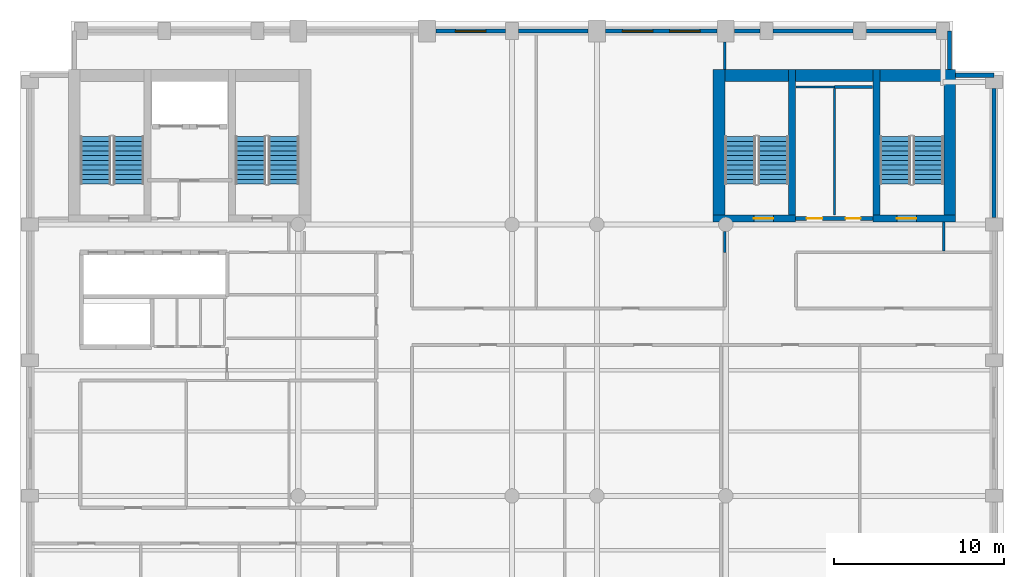
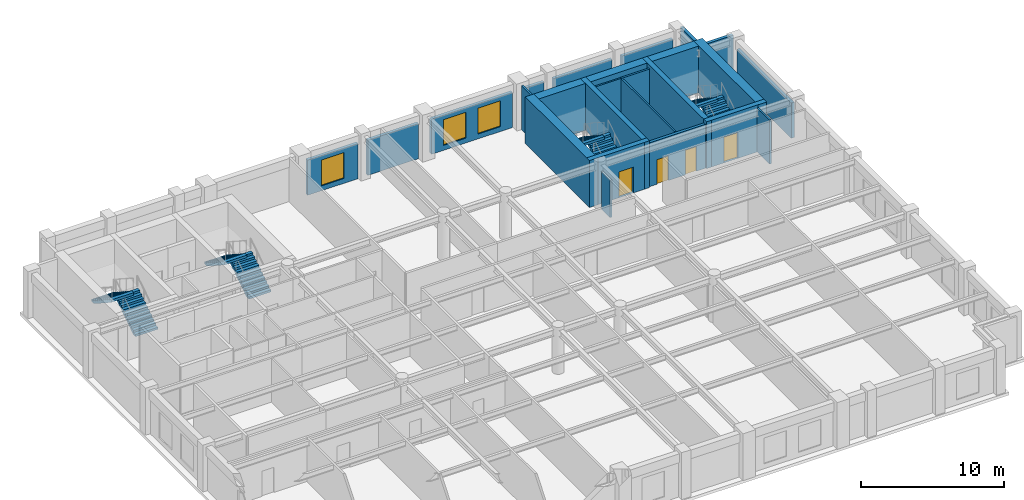
# One storey, part 6 of 8: 23 walls, 8 stair flights, 4 doors, 3 windows, 7 openings, 4 elements without a shape of their own.
"""IFC4 building model written with IfcOpenShell, lengths in metres."""

from ifc_helpers import new_model, si_unit, direction, frame, frame_2d, origin, place, context, subcontext, project, spatial, polyline, rectangle, outline, extrude, material, layer, layer_set, type_object, element, fill, aggregate, save


model = new_model("IFC4")

# Units and contexts
model_context = context("Model", 3, precision=1e-05, world=origin(), true_north=direction((0.0, 1.0)))
body_context = subcontext(model_context, "Body", "Model", "MODEL_VIEW")
ifc_project = project(units=[si_unit("LENGTHUNIT", "METRE"), si_unit("AREAUNIT", "SQUARE_METRE"), si_unit("VOLUMEUNIT", "CUBIC_METRE"), si_unit("PLANEANGLEUNIT", "RADIAN"), si_unit("MASSUNIT", "GRAM", prefix="KILO")], contexts=[model_context])

# Site, building, storey
site_placement = place(None, origin())
site = spatial("IfcSite", under=ifc_project, at=site_placement, CompositionType="ELEMENT")
building_placement = place(site_placement, origin())
building = spatial("IfcBuilding", under=site, at=building_placement, Name="Sulina Concourse Tower", CompositionType="ELEMENT")
storey_placement = place(building_placement, frame((0.0, 0.0, 248.60009765625)))
storey = spatial("IfcBuildingStorey", under=building, at=storey_placement, Name="L60", CompositionType="ELEMENT", Elevation=248.60009765625)

# Wall, opening, window
ifc_material_1 = material(Name="Precast concrete C50/60", Category="concrete")
ifc_layer_1 = layer(ifc_material_1, 0.239990234375)
ifc_layer_set_1 = layer_set([ifc_layer_1], Name="Precast concrete C50/60")
wall_type_1 = type_object("IfcWallType", Name="Crown Precast Masonry-Frame Facade Wall 240mm", PredefinedType="SOLIDWALL", material=ifc_layer_set_1)
wall_1_placement = place(storey_placement, frame((24.52001953125, 45.39990234375, 0.0), z_axis=(0.0, 0.0, 1.0), x_axis=(1.0, 0.0, 0.0)))
wall_1 = element("IfcWall", 1, at=wall_1_placement, inside=storey, type_object=wall_type_1, Name="L60 exterior precast wall N5", PredefinedType="SOLIDWALL", context=body_context, shape_type="SweptSolid", body=[
    extrude(rectangle(XDim=4.0849609375, YDim=0.239990234375, at=frame_2d((2.04248046875, 0.0))), origin(), (0.0, 0.0, 1.0), 3.0),
])
opening_1_placement = place(wall_1_placement, frame((1.142578125, 0.0, 0.419921875)))
opening_1 = element("IfcOpeningElement", 2, at=opening_1_placement, cuts=wall_1, Name="Opening WN-25", PredefinedType="OPENING", context=body_context, shape_type="SweptSolid", body=[
    extrude(rectangle(XDim=1.800048828125, YDim=2.199951171875, at=frame_2d((0.89990234375, 1.10009765625))), frame((0.0, 0.1298828125, 0.0), z_axis=(0.0, -1.0, 0.0), x_axis=(1.0, 0.0, 0.0)), (0.0, 0.0, 1.0), 0.260009765625),
])
ifc_material_2 = material(Name="Low-E solar double glazing in bronze aluminium", Category="aluminium")
window_type = type_object("IfcWindowType", Name="Punched Masonry-Frame Window 1800x2200", PartitioningType="SINGLE_PANEL", PredefinedType="WINDOW", material=ifc_material_2)
window_1_placement = place(opening_1_placement, origin())
window_1 = element("IfcWindow", 3, at=window_1_placement, inside=storey, type_object=window_type, Name="L60 punched window N5-1", OverallHeight=2.199951171875, OverallWidth=1.800048828125, PartitioningType="SINGLE_PANEL", PredefinedType="WINDOW", context=body_context, shape_type="SweptSolid", body=[
    extrude(rectangle(XDim=1.800048828125, YDim=2.199951171875, at=frame_2d((0.89990234375, 1.10009765625))), frame((0.0, 0.030029296875, 0.0), z_axis=(0.0, -1.0, 0.0), x_axis=(1.0, 0.0, 0.0)), (0.0, 0.0, 1.0), 0.06005859375),
])
fill(opening_1, window_1)

# Wall
wall_2_placement = place(storey_placement, frame((29.39501953125, 45.39990234375, 0.0), z_axis=(0.0, 0.0, 1.0), x_axis=(1.0, 0.0, 0.0)))
element("IfcWall", 4, at=wall_2_placement, inside=storey, type_object=wall_type_1, Name="L60 exterior precast wall N6", PredefinedType="SOLIDWALL", context=body_context, shape_type="SweptSolid", body=[
    extrude(rectangle(XDim=4.0849609375, YDim=0.239990234375, at=frame_2d((2.04248046875, 0.0))), origin(), (0.0, 0.0, 1.0), 3.0),
])

# Wall, openings, windows
wall_3_placement = place(storey_placement, frame((34.52001953125, 45.39990234375, 0.0), z_axis=(0.0, 0.0, 1.0), x_axis=(1.0, 0.0, 0.0)))
wall_3 = element("IfcWall", 5, at=wall_3_placement, inside=storey, type_object=wall_type_1, Name="L60 exterior precast wall N7", PredefinedType="SOLIDWALL", context=body_context, shape_type="SweptSolid", body=[
    extrude(rectangle(XDim=6.56005859375, YDim=0.239990234375, at=frame_2d((3.280029296875, 0.0))), origin(), (0.0, 0.0, 1.0), 3.0),
])
opening_2_placement = place(wall_3_placement, frame((0.98681640625, 0.0, 0.419921875)))
opening_2 = element("IfcOpeningElement", 6, at=opening_2_placement, cuts=wall_3, Name="Opening WN-25", PredefinedType="OPENING", context=body_context, shape_type="SweptSolid", body=[
    extrude(rectangle(XDim=1.800048828125, YDim=2.199951171875, at=frame_2d((0.89990234375, 1.10009765625))), frame((0.0, 0.1298828125, 0.0), z_axis=(0.0, -1.0, 0.0), x_axis=(1.0, 0.0, 0.0)), (0.0, 0.0, 1.0), 0.260009765625),
])
opening_3_placement = place(wall_3_placement, frame((3.773193359375, 0.0, 0.419921875)))
opening_3 = element("IfcOpeningElement", 7, at=opening_3_placement, cuts=wall_3, Name="Opening WN-25", PredefinedType="OPENING", context=body_context, shape_type="SweptSolid", body=[
    extrude(rectangle(XDim=1.800048828125, YDim=2.199951171875, at=frame_2d((0.89990234375, 1.10009765625))), frame((0.0, 0.1298828125, 0.0), z_axis=(0.0, -1.0, 0.0), x_axis=(1.0, 0.0, 0.0)), (0.0, 0.0, 1.0), 0.260009765625),
])
window_2_placement = place(opening_2_placement, origin())
window_2 = element("IfcWindow", 8, at=window_2_placement, inside=storey, type_object=window_type, Name="L60 punched window N7-1", OverallHeight=2.199951171875, OverallWidth=1.800048828125, PartitioningType="SINGLE_PANEL", PredefinedType="WINDOW", context=body_context, shape_type="SweptSolid", body=[
    extrude(rectangle(XDim=1.800048828125, YDim=2.199951171875, at=frame_2d((0.89990234375, 1.10009765625))), frame((0.0, 0.030029296875, 0.0), z_axis=(0.0, -1.0, 0.0), x_axis=(1.0, 0.0, 0.0)), (0.0, 0.0, 1.0), 0.06005859375),
])
fill(opening_2, window_2)
window_3_placement = place(opening_3_placement, origin())
window_3 = element("IfcWindow", 9, at=window_3_placement, inside=storey, type_object=window_type, Name="L60 punched window N7-2", OverallHeight=2.199951171875, OverallWidth=1.800048828125, PartitioningType="SINGLE_PANEL", PredefinedType="WINDOW", context=body_context, shape_type="SweptSolid", body=[
    extrude(rectangle(XDim=1.800048828125, YDim=2.199951171875, at=frame_2d((0.89990234375, 1.10009765625))), frame((0.0, 0.030029296875, 0.0), z_axis=(0.0, -1.0, 0.0), x_axis=(1.0, 0.0, 0.0)), (0.0, 0.0, 1.0), 0.06005859375),
])
fill(opening_3, window_3)

# Walls
wall_4_placement = place(storey_placement, frame((42.1201171875, 45.39990234375, 0.0), z_axis=(0.0, 0.0, 1.0), x_axis=(1.0, 0.0, 0.0)))
element("IfcWall", 10, at=wall_4_placement, inside=storey, type_object=wall_type_1, Name="L60 exterior precast wall N8", PredefinedType="SOLIDWALL", context=body_context, shape_type="SweptSolid", body=[
    extrude(rectangle(XDim=1.48486328125, YDim=0.239990234375, at=frame_2d((0.742431640625, 0.0))), origin(), (0.0, 0.0, 1.0), 3.0),
])
wall_5_placement = place(storey_placement, frame((44.39501953125, 45.39990234375, 0.0), z_axis=(0.0, 0.0, 1.0), x_axis=(1.0, 0.0, 0.0)))
element("IfcWall", 11, at=wall_5_placement, inside=storey, type_object=wall_type_1, Name="L60 exterior precast wall N9", PredefinedType="SOLIDWALL", context=body_context, shape_type="SweptSolid", body=[
    extrude(rectangle(XDim=4.7099609375, YDim=0.239990234375, at=frame_2d((2.35498046875, 0.0))), origin(), (0.0, 0.0, 1.0), 3.0),
])
wall_6_placement = place(storey_placement, frame((49.89501953125, 45.39990234375, 0.0), z_axis=(0.0, 0.0, 1.0), x_axis=(1.0, 0.0, 0.0)))
element("IfcWall", 12, at=wall_6_placement, inside=storey, type_object=wall_type_1, Name="L60 exterior precast wall N10", PredefinedType="SOLIDWALL", context=body_context, shape_type="SweptSolid", body=[
    extrude(rectangle(XDim=4.10986328125, YDim=0.239990234375, at=frame_2d((2.054931640625, 0.0))), origin(), (0.0, 0.0, 1.0), 3.0),
])
wall_7_placement = place(storey_placement, frame((57.39990234375, 42.0048828125, 0.0), z_axis=(0.0, 0.0, 1.0), x_axis=(0.0, -1.0, 0.0)))
element("IfcWall", 13, at=wall_7_placement, inside=storey, type_object=wall_type_1, Name="L60 exterior precast wall E5", PredefinedType="SOLIDWALL", context=body_context, shape_type="SweptSolid", body=[
    extrude(rectangle(XDim=7.60986328125, YDim=0.239990234375, at=frame_2d((3.804931640625, 0.0))), origin(), (0.0, 0.0, 1.0), 3.0),
])
wall_8_placement = place(storey_placement, frame((54.794921875, 45.39990234375, 0.0), z_axis=(0.0, 0.0, 1.0), x_axis=(0.0, -1.0, 0.0)))
element("IfcWall", 14, at=wall_8_placement, inside=storey, type_object=wall_type_1, Name="L60 exterior precast wall CNE1", PredefinedType="SOLIDWALL", context=body_context, shape_type="SweptSolid", body=[
    extrude(rectangle(XDim=2.264892578125, YDim=0.239990234375, at=frame_2d((1.13232421875, 0.0))), origin(), (0.0, 0.0, 1.0), 3.75),
])
wall_9_placement = place(storey_placement, frame((55.155029296875, 42.794921875, 0.0), z_axis=(0.0, 0.0, 1.0), x_axis=(1.0, 0.0, 0.0)))
element("IfcWall", 15, at=wall_9_placement, inside=storey, type_object=wall_type_1, Name="L60 exterior precast wall CNE2", PredefinedType="SOLIDWALL", context=body_context, shape_type="SweptSolid", body=[
    extrude(rectangle(XDim=2.244873046875, YDim=0.239990234375, at=frame_2d((1.12255859375, 0.0))), origin(), (0.0, 0.0, 1.0), 3.75),
])

# Wall, openings, doors
ifc_material_3 = material(Name="Gypsum board on steel stud", Category="steel")
ifc_layer_2 = layer(ifc_material_3, 0.219970703125)
ifc_layer_set_2 = layer_set([ifc_layer_2], Name="Gypsum board on steel stud")
wall_type_2 = type_object("IfcWallType", Name="Fire-Rated Lobby & Compartment Wall 220mm", PredefinedType="PARTITIONING", material=ifc_layer_set_2)
wall_10_placement = place(storey_placement, frame((45.719970703125, 34.35009765625, 0.0), z_axis=(0.0, 0.0, 1.0), x_axis=(1.0, 0.0, 0.0)))
wall_10 = element("IfcWall", 16, at=wall_10_placement, inside=storey, type_object=wall_type_2, Name="L60 east core south lobby wall", PredefinedType="PARTITIONING", context=body_context, shape_type="SweptSolid", body=[
    extrude(rectangle(XDim=4.56005859375, YDim=0.219970703125, at=frame_2d((2.280029296875, 0.0))), origin(), (0.0, 0.0, 1.0), 3.75),
])
opening_4_placement = place(wall_10_placement, frame((0.64990234375, 0.0, 0.0)))
opening_4 = element("IfcOpeningElement", 17, at=opening_4_placement, cuts=wall_10, Name="Opening DR-61", PredefinedType="OPENING", context=body_context, shape_type="SweptSolid", body=[
    extrude(rectangle(XDim=0.919921875, YDim=2.10009765625, at=frame_2d((0.4599609375, 1.050048828125))), frame((0.0, 0.119873046875, 0.0), z_axis=(0.0, -1.0, 0.0), x_axis=(1.0, 0.0, 0.0)), (0.0, 0.0, 1.0), 0.239990234375),
])
opening_5_placement = place(wall_10_placement, frame((2.949951171875, 0.0, 0.0)))
opening_5 = element("IfcOpeningElement", 18, at=opening_5_placement, cuts=wall_10, Name="Opening DR-38", PredefinedType="OPENING", context=body_context, shape_type="SweptSolid", body=[
    extrude(rectangle(XDim=0.8798828125, YDim=2.10009765625, at=frame_2d((0.43994140625, 1.050048828125))), frame((0.0, 0.119873046875, 0.0), z_axis=(0.0, -1.0, 0.0), x_axis=(1.0, 0.0, 0.0)), (0.0, 0.0, 1.0), 0.239990234375),
])
ifc_material_4 = material(Name="Oak-veneered fire door leaf")
ifc_layer_3 = layer(ifc_material_4, 0.050048828125)
ifc_layer_set_3 = layer_set([ifc_layer_3], Name="Oak-veneered fire door leaf")
door_type_1 = type_object("IfcDoorType", Name="Accessible WC Door 920x2100", OperationType="NOTDEFINED", PredefinedType="DOOR", material=ifc_layer_set_3)
door_1_placement = place(opening_4_placement, origin())
door_1 = element("IfcDoor", 19, at=door_1_placement, inside=storey, type_object=door_type_1, Name="L60 east core accessible wc door", OperationType="SINGLE_SWING_LEFT", OverallHeight=2.10009765625, OverallWidth=0.919921875, PredefinedType="DOOR", context=body_context, shape_type="SweptSolid", body=[
    extrude(rectangle(XDim=0.919921875, YDim=2.10009765625, at=frame_2d((0.4599609375, 1.050048828125))), frame((0.0, 0.02490234375, 0.0), z_axis=(0.0, -1.0, 0.0), x_axis=(1.0, 0.0, 0.0)), (0.0, 0.0, 1.0), 0.050048828125),
])
fill(opening_4, door_1)
ifc_material_5 = material(Name="Galvanised steel acoustic fire leaf", Category="steel")
ifc_layer_4 = layer(ifc_material_5, 0.050048828125)
ifc_layer_set_4 = layer_set([ifc_layer_4], Name="Galvanised steel acoustic fire leaf")
door_type_2 = type_object("IfcDoorType", Name="Service Riser Fire Door 880x2100", OperationType="NOTDEFINED", PredefinedType="DOOR", material=ifc_layer_set_4)
door_2_placement = place(opening_5_placement, origin())
door_2 = element("IfcDoor", 20, at=door_2_placement, inside=storey, type_object=door_type_2, Name="L60 east core store door", OperationType="SINGLE_SWING_RIGHT", OverallHeight=2.10009765625, OverallWidth=0.8798828125, PredefinedType="DOOR", context=body_context, shape_type="SweptSolid", body=[
    extrude(rectangle(XDim=0.8798828125, YDim=2.10009765625, at=frame_2d((0.43994140625, 1.050048828125))), frame((0.0, 0.02490234375, 0.0), z_axis=(0.0, -1.0, 0.0), x_axis=(1.0, 0.0, 0.0)), (0.0, 0.0, 1.0), 0.050048828125),
])
fill(opening_5, door_2)

# Walls
ifc_material_6 = material(Name="Gypsum board on steel stud", Category="steel")
ifc_layer_5 = layer(ifc_material_6, 0.14990234375)
ifc_layer_set_5 = layer_set([ifc_layer_5], Name="Gypsum board on steel stud")
wall_type_3 = type_object("IfcWallType", Name="Inter-Tenancy Acoustic Partition 150mm", PredefinedType="PARTITIONING", material=ifc_layer_set_5)
wall_11_placement = place(storey_placement, frame((48.0, 42.10009765625, 0.0), z_axis=(0.0, 0.0, 1.0), x_axis=(1.0, 0.0, 0.0)))
element("IfcWall", 21, at=wall_11_placement, inside=storey, type_object=wall_type_3, Name="L60 interior partition 033", PredefinedType="PARTITIONING", context=body_context, shape_type="SweptSolid", body=[
    extrude(rectangle(XDim=2.25, YDim=0.14990234375, at=frame_2d((1.125, 0.0))), origin(), (0.0, 0.0, 1.0), 3.75),
])
wall_12_placement = place(storey_placement, frame((41.550048828125, 32.35009765625, 0.0), z_axis=(0.0, 0.0, 1.0), x_axis=(0.0, 1.0, 0.0)))
element("IfcWall", 22, at=wall_12_placement, inside=storey, type_object=wall_type_3, Name="L60 interior partition 061", PredefinedType="PARTITIONING", context=body_context, shape_type="SweptSolid", body=[
    extrude(rectangle(XDim=1.224853515625, YDim=0.14990234375, at=frame_2d((0.6123046875, 0.0))), origin(), (0.0, 0.0, 1.0), 3.19482421875),
])
wall_13_placement = place(storey_placement, frame((41.550048828125, 43.1298828125, 0.0), z_axis=(0.0, 0.0, 1.0), x_axis=(0.0, 1.0, 0.0)))
element("IfcWall", 23, at=wall_13_placement, inside=storey, type_object=wall_type_3, Name="L60 interior partition 062", PredefinedType="PARTITIONING", context=body_context, shape_type="SweptSolid", body=[
    extrude(rectangle(XDim=1.6201171875, YDim=0.14990234375, at=frame_2d((0.81005859375, 0.0))), origin(), (0.0, 0.0, 1.0), 3.75),
])
wall_14_placement = place(storey_placement, frame((54.449951171875, 32.425048828125, 0.0), z_axis=(0.0, 0.0, 1.0), x_axis=(0.0, 1.0, 0.0)))
element("IfcWall", 24, at=wall_14_placement, inside=storey, type_object=wall_type_3, Name="L60 interior partition 066", PredefinedType="PARTITIONING", context=body_context, shape_type="SweptSolid", body=[
    extrude(rectangle(XDim=1.724853515625, YDim=0.14990234375, at=frame_2d((0.8623046875, 0.0))), origin(), (0.0, 0.0, 1.0), 3.75),
])

# Wall, opening, door
ifc_material_7 = material(Name="Concrete C60/75", Category="concrete")
ifc_layer_6 = layer(ifc_material_7, 0.39990234375)
ifc_layer_set_6 = layer_set([ifc_layer_6], Name="Concrete C60/75")
wall_type_4 = type_object("IfcWallType", Name="Protected Stair Core Shear Wall 400mm", PredefinedType="SHEAR", material=ifc_layer_set_6)
wall_15_placement = place(storey_placement, frame((40.85009765625, 34.35009765625, 0.0), z_axis=(0.0, 0.0, 1.0), x_axis=(1.0, 0.0, 0.0)))
wall_15 = element("IfcWall", 25, at=wall_15_placement, inside=storey, type_object=wall_type_4, Name="L60 east core shear wall CW-ES1", PredefinedType="SHEAR", context=body_context, shape_type="SweptSolid", body=[
    extrude(rectangle(XDim=4.85986328125, YDim=0.39990234375, at=frame_2d((2.429931640625, 0.0))), origin(), (0.0, 0.0, 1.0), 4.0),
])
opening_6_placement = place(wall_15_placement, frame((2.39990234375, 0.0, 0.0)))
opening_6 = element("IfcOpeningElement", 26, at=opening_6_placement, cuts=wall_15, Name="Opening DR-60", PredefinedType="OPENING", context=body_context, shape_type="SweptSolid", body=[
    extrude(rectangle(XDim=1.14990234375, YDim=2.199951171875, at=frame_2d((0.574951171875, 1.10009765625))), frame((0.0, 0.2099609375, 0.0), z_axis=(0.0, -1.0, 0.0), x_axis=(1.0, 0.0, 0.0)), (0.0, 0.0, 1.0), 0.419921875),
])
ifc_material_8 = material(Name="Galvanised steel acoustic fire leaf", Category="steel")
ifc_layer_7 = layer(ifc_material_8, 0.054931640625)
ifc_layer_set_7 = layer_set([ifc_layer_7], Name="Galvanised steel acoustic fire leaf")
door_type_3 = type_object("IfcDoorType", Name="Protected Exit Stair Fire Door 1150x2200", OperationType="NOTDEFINED", PredefinedType="DOOR", material=ifc_layer_set_7)
door_3_placement = place(opening_6_placement, origin())
door_3 = element("IfcDoor", 27, at=door_3_placement, inside=storey, type_object=door_type_3, Name="L60 stair ST-3 south lobby fire door", OperationType="SINGLE_SWING_RIGHT", OverallHeight=2.199951171875, OverallWidth=1.14990234375, PredefinedType="DOOR", context=body_context, shape_type="SweptSolid", body=[
    extrude(rectangle(XDim=1.14990234375, YDim=2.199951171875, at=frame_2d((0.574951171875, 1.10009765625))), frame((0.0, 0.02490234375, 0.0), z_axis=(0.0, -1.0, 0.0), x_axis=(1.0, 0.0, 0.0)), (0.0, 0.0, 1.0), 0.050048828125),
])
fill(opening_6, door_3)

# Wall
wall_16_placement = place(storey_placement, frame((45.510009765625, 34.14990234375, 0.0), z_axis=(0.0, 0.0, 1.0), x_axis=(0.0, 1.0, 0.0)))
element("IfcWall", 28, at=wall_16_placement, inside=storey, type_object=wall_type_4, Name="L60 east core shear wall SW-ST3", PredefinedType="SHEAR", context=body_context, shape_type="SweptSolid", body=[
    extrude(rectangle(XDim=8.97998046875, YDim=0.39990234375, at=frame_2d((4.489990234375, 0.0))), origin(), (0.0, 0.0, 1.0), 4.0),
])

# Wall, opening, door
wall_17_placement = place(storey_placement, frame((50.2900390625, 34.35009765625, 0.0), z_axis=(0.0, 0.0, 1.0), x_axis=(1.0, 0.0, 0.0)))
wall_17 = element("IfcWall", 29, at=wall_17_placement, inside=storey, type_object=wall_type_4, Name="L60 east core shear wall CW-ES2", PredefinedType="SHEAR", context=body_context, shape_type="SweptSolid", body=[
    extrude(rectangle(XDim=4.85986328125, YDim=0.39990234375, at=frame_2d((2.429931640625, 0.0))), origin(), (0.0, 0.0, 1.0), 4.0),
])
opening_7_placement = place(wall_17_placement, frame((1.39990234375, 0.0, 0.0)))
opening_7 = element("IfcOpeningElement", 30, at=opening_7_placement, cuts=wall_17, Name="Opening DR-60", PredefinedType="OPENING", context=body_context, shape_type="SweptSolid", body=[
    extrude(rectangle(XDim=1.14990234375, YDim=2.199951171875, at=frame_2d((0.574951171875, 1.10009765625))), frame((0.0, 0.2099609375, 0.0), z_axis=(0.0, -1.0, 0.0), x_axis=(1.0, 0.0, 0.0)), (0.0, 0.0, 1.0), 0.419921875),
])
door_4_placement = place(opening_7_placement, origin())
door_4 = element("IfcDoor", 31, at=door_4_placement, inside=storey, type_object=door_type_3, Name="L60 stair ST-4 south lobby fire door", OperationType="SINGLE_SWING_LEFT", OverallHeight=2.199951171875, OverallWidth=1.14990234375, PredefinedType="DOOR", context=body_context, shape_type="SweptSolid", body=[
    extrude(rectangle(XDim=1.14990234375, YDim=2.199951171875, at=frame_2d((0.574951171875, 1.10009765625))), frame((0.0, 0.02490234375, 0.0), z_axis=(0.0, -1.0, 0.0), x_axis=(1.0, 0.0, 0.0)), (0.0, 0.0, 1.0), 0.050048828125),
])
fill(opening_7, door_4)

# Walls
wall_18_placement = place(storey_placement, frame((50.489990234375, 34.14990234375, 0.0), z_axis=(0.0, 0.0, 1.0), x_axis=(0.0, 1.0, 0.0)))
element("IfcWall", 32, at=wall_18_placement, inside=storey, type_object=wall_type_4, Name="L60 east core shear wall SW-ST4", PredefinedType="SHEAR", context=body_context, shape_type="SweptSolid", body=[
    extrude(rectangle(XDim=8.97998046875, YDim=0.39990234375, at=frame_2d((4.489990234375, 0.0))), origin(), (0.0, 0.0, 1.0), 4.0),
])
ifc_material_9 = material(Name="Concrete C60/75", Category="concrete")
ifc_layer_8 = layer(ifc_material_9, 0.699951171875)
ifc_layer_set_8 = layer_set([ifc_layer_8], Name="Concrete C60/75")
wall_type_5 = type_object("IfcWallType", Name="Rear Core Shear Wall 700mm", PredefinedType="SHEAR", material=ifc_layer_set_8)
wall_19_placement = place(storey_placement, frame((40.85009765625, 42.780029296875, 0.0), z_axis=(0.0, 0.0, 1.0), x_axis=(1.0, 0.0, 0.0)))
element("IfcWall", 33, at=wall_19_placement, inside=storey, type_object=wall_type_5, Name="L60 east core shear wall CW-EN", PredefinedType="SHEAR", context=body_context, shape_type="SweptSolid", body=[
    extrude(rectangle(XDim=14.2998046875, YDim=0.699951171875, at=frame_2d((7.14990234375, 0.0))), origin(), (0.0, 0.0, 1.0), 4.0),
])
for number, where, z_axis, x_axis, name in (
    (34, (41.199951171875, 34.14990234375, 0.0), (0.0, 0.0, 1.0), (0.0, 1.0, 0.0), "L60 east core shear wall CW-EW"),
    (35, (54.800048828125, 34.14990234375, 0.0), (0.0, 0.0, 1.0), (0.0, 1.0, 0.0), "L60 east core shear wall CW-EE"),
):
    element("IfcWall", number, at=place(storey_placement, frame(where, z_axis=z_axis, x_axis=x_axis)), inside=storey, type_object=wall_type_5, Name=name, PredefinedType="SHEAR", context=body_context, shape_type="SweptSolid", body=[
        extrude(rectangle(XDim=8.97998046875, YDim=0.699951171875, at=frame_2d((4.489990234375, 0.0))), origin(), (0.0, 0.0, 1.0), 4.0),
    ])
ifc_material_10 = material(Name="Gypsum board on steel stud", Category="steel")
ifc_layer_9 = layer(ifc_material_10, 0.125)
ifc_layer_set_9 = layer_set([ifc_layer_9], Name="Gypsum board on steel stud")
wall_type_6 = type_object("IfcWallType", Name="Wet-Area Moisture-Resistant Partition 125mm", PredefinedType="PARTITIONING", material=ifc_layer_set_9)
wall_20_placement = place(storey_placement, frame((45.75, 42.10009765625, 0.0), z_axis=(0.0, 0.0, 1.0), x_axis=(1.0, 0.0, 0.0)))
element("IfcWall", 36, at=wall_20_placement, inside=storey, type_object=wall_type_6, Name="L60 interior partition 032", PredefinedType="PARTITIONING", context=body_context, shape_type="SweptSolid", body=[
    extrude(rectangle(XDim=2.25, YDim=0.125, at=frame_2d((1.125, 0.0))), origin(), (0.0, 0.0, 1.0), 3.75),
])
wall_21_placement = place(storey_placement, frame((48.0, 34.550048828125, 0.0), z_axis=(0.0, 0.0, 1.0), x_axis=(0.0, 1.0, 0.0)))
element("IfcWall", 37, at=wall_21_placement, inside=storey, type_object=wall_type_6, Name="L60 interior partition 064", PredefinedType="PARTITIONING", context=body_context, shape_type="SweptSolid", body=[
    extrude(rectangle(XDim=7.474853515625, YDim=0.125, at=frame_2d((3.7373046875, 0.0))), origin(), (0.0, 0.0, 1.0), 3.75),
])

# Stair, stair flights
ifc_material_11 = material(Name="Concrete C50/60", Category="concrete")
stair_type_1 = type_object("IfcStairType", Name="Portal & Podium Core Exit Stair 1820mm", PredefinedType="HALF_TURN_STAIR", material=ifc_material_11)
stair_1_placement = place(storey_placement, origin())
stair_1 = element("IfcStair", 38, at=stair_1_placement, inside=storey, type_object=stair_type_1, Name="L60 ST-3", PredefinedType="HALF_TURN_STAIR")
ifc_material_12 = material(Name="Concrete C50/60", Category="concrete")
stair_flight_type_1 = type_object("IfcStairFlightType", Name="Portal & Podium Core Exit Stair 1820mm Flight", PredefinedType="STRAIGHT", material=ifc_material_12)
stair_flight_1_placement = place(storey_placement, frame((44.405029296875, 36.375, 0.0), z_axis=(0.0, 0.0, 1.0), x_axis=(0.0, 1.0, 0.0)))
stair_flight_1 = element("IfcStairFlight", 39, at=stair_flight_1_placement, type_object=stair_flight_type_1, Name="ST-3 flight 1", NumberOfRisers=11, NumberOfTreads=10, PredefinedType="STRAIGHT", RiserHeight=0.181818182, TreadLength=0.28, context=body_context, shape_type="SweptSolid", body=[
    extrude(outline(polyline([(0.0, 0.0), (0.0, 0.181884765625), (0.280029296875, 0.181884765625), (0.280029296875, 0.363525390625), (0.56005859375, 0.363525390625), (0.56005859375, 0.54541015625), (0.840087890625, 0.54541015625), (0.840087890625, 0.727294921875), (1.1201171875, 0.727294921875), (1.1201171875, 0.9091796875), (1.39990234375, 0.9091796875), (1.39990234375, 1.0908203125), (1.679931640625, 1.0908203125), (1.679931640625, 1.272705078125), (1.9599609375, 1.272705078125), (1.9599609375, 1.45458984375), (2.239990234375, 1.45458984375), (2.239990234375, 1.636474609375), (2.52001953125, 1.636474609375), (2.52001953125, 1.818115234375), (2.800048828125, 1.818115234375), (2.800048828125, 2.0), (2.800048828125, 1.603759765625), (0.330322265625, 0.0), (0.0, 0.0)])), frame((0.0, 0.89990234375, 0.0), z_axis=(0.0, -1.0, 0.0), x_axis=(1.0, 0.0, 0.0)), (0.0, 0.0, 1.0), 1.800048828125),
])
stair_flight_2_placement = place(storey_placement, frame((42.455078125, 39.175048828125, 2.0), z_axis=(0.0, 0.0, 1.0), x_axis=(0.0, -1.0, 0.0)))
stair_flight_2 = element("IfcStairFlight", 40, at=stair_flight_2_placement, type_object=stair_flight_type_1, Name="ST-3 flight 2", NumberOfRisers=11, NumberOfTreads=10, PredefinedType="STRAIGHT", RiserHeight=0.181818182, TreadLength=0.28, context=body_context, shape_type="SweptSolid", body=[
    extrude(outline(polyline([(0.0, 0.0), (0.0, 0.181884765625), (0.280029296875, 0.181884765625), (0.280029296875, 0.363525390625), (0.56005859375, 0.363525390625), (0.56005859375, 0.54541015625), (0.840087890625, 0.54541015625), (0.840087890625, 0.727294921875), (1.1201171875, 0.727294921875), (1.1201171875, 0.9091796875), (1.39990234375, 0.9091796875), (1.39990234375, 1.0908203125), (1.679931640625, 1.0908203125), (1.679931640625, 1.272705078125), (1.9599609375, 1.272705078125), (1.9599609375, 1.45458984375), (2.239990234375, 1.45458984375), (2.239990234375, 1.636474609375), (2.52001953125, 1.636474609375), (2.52001953125, 1.818115234375), (2.800048828125, 1.818115234375), (2.800048828125, 2.0), (2.800048828125, 1.603759765625), (0.330322265625, 0.0), (0.0, 0.0)])), frame((0.0, 0.89990234375, 0.0), z_axis=(0.0, -1.0, 0.0), x_axis=(1.0, 0.0, 0.0)), (0.0, 0.0, 1.0), 1.800048828125),
])
aggregate(stair_1, [stair_flight_1, stair_flight_2])

stair_2_placement = place(storey_placement, origin())
stair_2 = element("IfcStair", 41, at=stair_2_placement, inside=storey, type_object=stair_type_1, Name="L60 ST-4", PredefinedType="HALF_TURN_STAIR")
stair_flight_3_placement = place(storey_placement, frame((53.544921875, 36.375, 0.0), z_axis=(0.0, 0.0, 1.0), x_axis=(0.0, 1.0, 0.0)))
stair_flight_3 = element("IfcStairFlight", 42, at=stair_flight_3_placement, type_object=stair_flight_type_1, Name="ST-4 flight 1", NumberOfRisers=11, NumberOfTreads=10, PredefinedType="STRAIGHT", RiserHeight=0.181818182, TreadLength=0.28, context=body_context, shape_type="SweptSolid", body=[
    extrude(outline(polyline([(0.0, 0.0), (0.0, 0.181884765625), (0.280029296875, 0.181884765625), (0.280029296875, 0.363525390625), (0.56005859375, 0.363525390625), (0.56005859375, 0.54541015625), (0.840087890625, 0.54541015625), (0.840087890625, 0.727294921875), (1.1201171875, 0.727294921875), (1.1201171875, 0.9091796875), (1.39990234375, 0.9091796875), (1.39990234375, 1.0908203125), (1.679931640625, 1.0908203125), (1.679931640625, 1.272705078125), (1.9599609375, 1.272705078125), (1.9599609375, 1.45458984375), (2.239990234375, 1.45458984375), (2.239990234375, 1.636474609375), (2.52001953125, 1.636474609375), (2.52001953125, 1.818115234375), (2.800048828125, 1.818115234375), (2.800048828125, 2.0), (2.800048828125, 1.603759765625), (0.330322265625, 0.0), (0.0, 0.0)])), frame((0.0, 0.89990234375, 0.0), z_axis=(0.0, -1.0, 0.0), x_axis=(1.0, 0.0, 0.0)), (0.0, 0.0, 1.0), 1.800048828125),
])
stair_flight_4_placement = place(storey_placement, frame((51.594970703125, 39.175048828125, 2.0), z_axis=(0.0, 0.0, 1.0), x_axis=(0.0, -1.0, 0.0)))
stair_flight_4 = element("IfcStairFlight", 43, at=stair_flight_4_placement, type_object=stair_flight_type_1, Name="ST-4 flight 2", NumberOfRisers=11, NumberOfTreads=10, PredefinedType="STRAIGHT", RiserHeight=0.181818182, TreadLength=0.28, context=body_context, shape_type="SweptSolid", body=[
    extrude(outline(polyline([(0.0, 0.0), (0.0, 0.181884765625), (0.280029296875, 0.181884765625), (0.280029296875, 0.363525390625), (0.56005859375, 0.363525390625), (0.56005859375, 0.54541015625), (0.840087890625, 0.54541015625), (0.840087890625, 0.727294921875), (1.1201171875, 0.727294921875), (1.1201171875, 0.9091796875), (1.39990234375, 0.9091796875), (1.39990234375, 1.0908203125), (1.679931640625, 1.0908203125), (1.679931640625, 1.272705078125), (1.9599609375, 1.272705078125), (1.9599609375, 1.45458984375), (2.239990234375, 1.45458984375), (2.239990234375, 1.636474609375), (2.52001953125, 1.636474609375), (2.52001953125, 1.818115234375), (2.800048828125, 1.818115234375), (2.800048828125, 2.0), (2.800048828125, 1.603759765625), (0.330322265625, 0.0), (0.0, 0.0)])), frame((0.0, 0.89990234375, 0.0), z_axis=(0.0, -1.0, 0.0), x_axis=(1.0, 0.0, 0.0)), (0.0, 0.0, 1.0), 1.800048828125),
])
aggregate(stair_2, [stair_flight_3, stair_flight_4])

ifc_material_13 = material(Name="Concrete C50/60", Category="concrete")
stair_type_2 = type_object("IfcStairType", Name="Primary Core Dog-Leg Exit Stair 1800mm", PredefinedType="HALF_TURN_STAIR", material=ifc_material_13)
stair_3_placement = place(storey_placement, origin())
stair_3 = element("IfcStair", 44, at=stair_3_placement, inside=storey, type_object=stair_type_2, Name="L60 ST-1", PredefinedType="HALF_TURN_STAIR")
ifc_material_14 = material(Name="Concrete C50/60", Category="concrete")
stair_flight_type_2 = type_object("IfcStairFlightType", Name="Primary Core Dog-Leg Exit Stair 1800mm Flight", PredefinedType="STRAIGHT", material=ifc_material_14)
stair_flight_5_placement = place(storey_placement, frame((6.405029296875, 36.375, 0.0), z_axis=(0.0, 0.0, 1.0), x_axis=(0.0, 1.0, 0.0)))
stair_flight_5 = element("IfcStairFlight", 45, at=stair_flight_5_placement, type_object=stair_flight_type_2, Name="ST-1 flight 1", NumberOfRisers=11, NumberOfTreads=10, PredefinedType="STRAIGHT", RiserHeight=0.181818182, TreadLength=0.28, context=body_context, shape_type="SweptSolid", body=[
    extrude(outline(polyline([(0.0, 0.0), (0.0, 0.181884765625), (0.280029296875, 0.181884765625), (0.280029296875, 0.363525390625), (0.56005859375, 0.363525390625), (0.56005859375, 0.54541015625), (0.840087890625, 0.54541015625), (0.840087890625, 0.727294921875), (1.1201171875, 0.727294921875), (1.1201171875, 0.9091796875), (1.39990234375, 0.9091796875), (1.39990234375, 1.0908203125), (1.679931640625, 1.0908203125), (1.679931640625, 1.272705078125), (1.9599609375, 1.272705078125), (1.9599609375, 1.45458984375), (2.239990234375, 1.45458984375), (2.239990234375, 1.636474609375), (2.52001953125, 1.636474609375), (2.52001953125, 1.818115234375), (2.800048828125, 1.818115234375), (2.800048828125, 2.0), (2.800048828125, 1.603759765625), (0.330322265625, 0.0), (0.0, 0.0)])), frame((0.0, 0.89990234375, 0.0), z_axis=(0.0, -1.0, 0.0), x_axis=(1.0, 0.0, 0.0)), (0.0, 0.0, 1.0), 1.800048828125),
])
stair_flight_6_placement = place(storey_placement, frame((4.455078125, 39.175048828125, 2.0), z_axis=(0.0, 0.0, 1.0), x_axis=(0.0, -1.0, 0.0)))
stair_flight_6 = element("IfcStairFlight", 46, at=stair_flight_6_placement, type_object=stair_flight_type_2, Name="ST-1 flight 2", NumberOfRisers=11, NumberOfTreads=10, PredefinedType="STRAIGHT", RiserHeight=0.181818182, TreadLength=0.28, context=body_context, shape_type="SweptSolid", body=[
    extrude(outline(polyline([(0.0, 0.0), (0.0, 0.181884765625), (0.280029296875, 0.181884765625), (0.280029296875, 0.363525390625), (0.56005859375, 0.363525390625), (0.56005859375, 0.54541015625), (0.840087890625, 0.54541015625), (0.840087890625, 0.727294921875), (1.1201171875, 0.727294921875), (1.1201171875, 0.9091796875), (1.39990234375, 0.9091796875), (1.39990234375, 1.0908203125), (1.679931640625, 1.0908203125), (1.679931640625, 1.272705078125), (1.9599609375, 1.272705078125), (1.9599609375, 1.45458984375), (2.239990234375, 1.45458984375), (2.239990234375, 1.636474609375), (2.52001953125, 1.636474609375), (2.52001953125, 1.818115234375), (2.800048828125, 1.818115234375), (2.800048828125, 2.0), (2.800048828125, 1.603759765625), (0.330322265625, 0.0), (0.0, 0.0)])), frame((0.0, 0.89990234375, 0.0), z_axis=(0.0, -1.0, 0.0), x_axis=(1.0, 0.0, 0.0)), (0.0, 0.0, 1.0), 1.800048828125),
])
aggregate(stair_3, [stair_flight_5, stair_flight_6])

stair_4_placement = place(storey_placement, origin())
stair_4 = element("IfcStair", 47, at=stair_4_placement, inside=storey, type_object=stair_type_2, Name="L60 ST-2", PredefinedType="HALF_TURN_STAIR")
stair_flight_7_placement = place(storey_placement, frame((15.544921875, 36.375, 0.0), z_axis=(0.0, 0.0, 1.0), x_axis=(0.0, 1.0, 0.0)))
stair_flight_7 = element("IfcStairFlight", 48, at=stair_flight_7_placement, type_object=stair_flight_type_2, Name="ST-2 flight 1", NumberOfRisers=11, NumberOfTreads=10, PredefinedType="STRAIGHT", RiserHeight=0.181818182, TreadLength=0.28, context=body_context, shape_type="SweptSolid", body=[
    extrude(outline(polyline([(0.0, 0.0), (0.0, 0.181884765625), (0.280029296875, 0.181884765625), (0.280029296875, 0.363525390625), (0.56005859375, 0.363525390625), (0.56005859375, 0.54541015625), (0.840087890625, 0.54541015625), (0.840087890625, 0.727294921875), (1.1201171875, 0.727294921875), (1.1201171875, 0.9091796875), (1.39990234375, 0.9091796875), (1.39990234375, 1.0908203125), (1.679931640625, 1.0908203125), (1.679931640625, 1.272705078125), (1.9599609375, 1.272705078125), (1.9599609375, 1.45458984375), (2.239990234375, 1.45458984375), (2.239990234375, 1.636474609375), (2.52001953125, 1.636474609375), (2.52001953125, 1.818115234375), (2.800048828125, 1.818115234375), (2.800048828125, 2.0), (2.800048828125, 1.603759765625), (0.330322265625, 0.0), (0.0, 0.0)])), frame((0.0, 0.89990234375, 0.0), z_axis=(0.0, -1.0, 0.0), x_axis=(1.0, 0.0, 0.0)), (0.0, 0.0, 1.0), 1.800048828125),
])
stair_flight_8_placement = place(storey_placement, frame((13.594970703125, 39.175048828125, 2.0), z_axis=(0.0, 0.0, 1.0), x_axis=(0.0, -1.0, 0.0)))
stair_flight_8 = element("IfcStairFlight", 49, at=stair_flight_8_placement, type_object=stair_flight_type_2, Name="ST-2 flight 2", NumberOfRisers=11, NumberOfTreads=10, PredefinedType="STRAIGHT", RiserHeight=0.181818182, TreadLength=0.28, context=body_context, shape_type="SweptSolid", body=[
    extrude(outline(polyline([(0.0, 0.0), (0.0, 0.181884765625), (0.280029296875, 0.181884765625), (0.280029296875, 0.363525390625), (0.56005859375, 0.363525390625), (0.56005859375, 0.54541015625), (0.840087890625, 0.54541015625), (0.840087890625, 0.727294921875), (1.1201171875, 0.727294921875), (1.1201171875, 0.9091796875), (1.39990234375, 0.9091796875), (1.39990234375, 1.0908203125), (1.679931640625, 1.0908203125), (1.679931640625, 1.272705078125), (1.9599609375, 1.272705078125), (1.9599609375, 1.45458984375), (2.239990234375, 1.45458984375), (2.239990234375, 1.636474609375), (2.52001953125, 1.636474609375), (2.52001953125, 1.818115234375), (2.800048828125, 1.818115234375), (2.800048828125, 2.0), (2.800048828125, 1.603759765625), (0.330322265625, 0.0), (0.0, 0.0)])), frame((0.0, 0.89990234375, 0.0), z_axis=(0.0, -1.0, 0.0), x_axis=(1.0, 0.0, 0.0)), (0.0, 0.0, 1.0), 1.800048828125),
])
aggregate(stair_4, [stair_flight_7, stair_flight_8])

save(model, "model.ifc")
